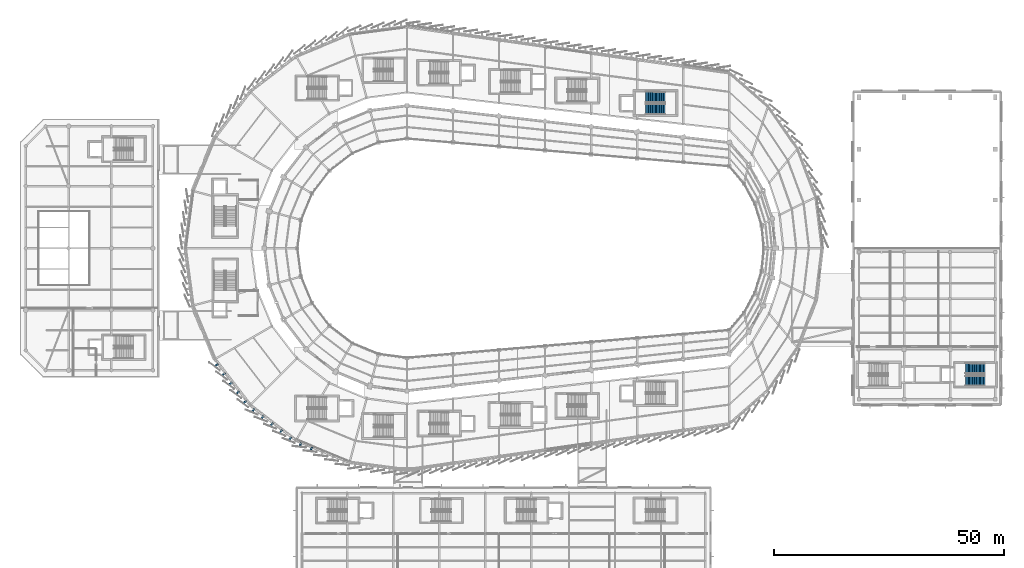
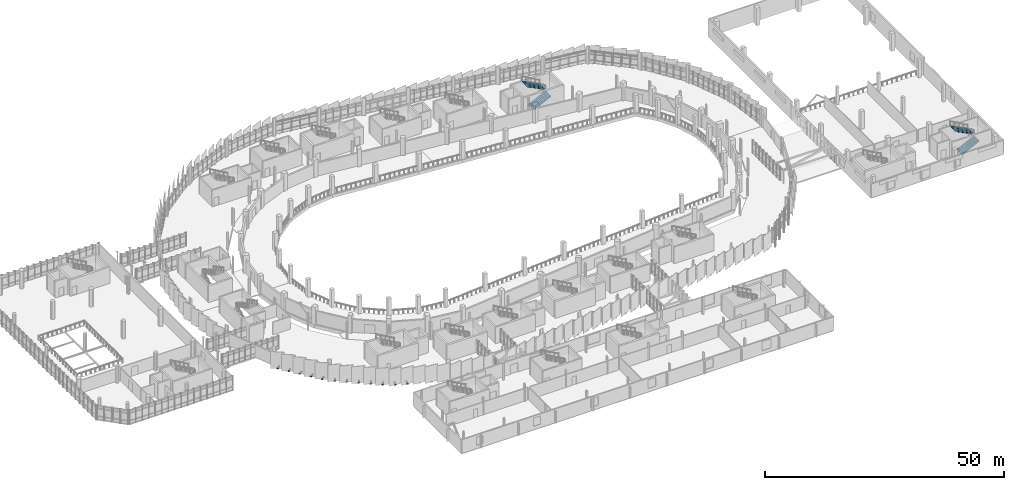
# One storey, part 112 of 125: 12 discrete accessories, 4 stair flights, 2 elements without a shape of their own.
"""IFC4 building model written with IfcOpenShell, lengths in metres."""

from ifc_helpers import new_model, si_unit, direction, frame, origin, origin_2d, place, context, subcontext, project, spatial, polyline, rectangle, outline, extrude, material, type_object, element, aggregate, save


model = new_model("IFC4")

# Units and contexts
model_context = context("Model", 3, precision=1e-05, world=origin(), true_north=direction((0.0, 1.0)))
body_context = subcontext(model_context, "Body", "Model", "MODEL_VIEW")
ifc_project = project(units=[si_unit("LENGTHUNIT", "METRE"), si_unit("AREAUNIT", "SQUARE_METRE"), si_unit("VOLUMEUNIT", "CUBIC_METRE"), si_unit("PLANEANGLEUNIT", "RADIAN"), si_unit("MASSUNIT", "GRAM", prefix="KILO")], contexts=[model_context])

# Site, building, storey
site_placement = place(None, origin())
site = spatial("IfcSite", under=ifc_project, at=site_placement, CompositionType="ELEMENT")
building_placement = place(site_placement, origin())
building = spatial("IfcBuilding", under=site, at=building_placement, Name="Sohan Crest Arena", CompositionType="ELEMENT")
storey_placement = place(building_placement, frame((0.0, 0.0, 9.0)))
storey = spatial("IfcBuildingStorey", under=building, at=storey_placement, Name="L02", CompositionType="ELEMENT", Elevation=9.0)

# Stair, stair flights
ifc_material_1 = material(Name="Concrete C40/50", Category="concrete")
stair_type_1 = type_object("IfcStairType", Name="ST-450W", PredefinedType="TWO_STRAIGHT_RUN_STAIR", material=ifc_material_1)
stair_1_placement = place(storey_placement, origin())
stair_1 = element("IfcStair", 1, at=stair_1_placement, inside=storey, type_object=stair_type_1, Name="Protected exit stair ST16-L02", PredefinedType="TWO_STRAIGHT_RUN_STAIR")
stair_flight_type_1 = type_object("IfcStairFlightType", Name="FL-220-15", PredefinedType="STRAIGHT", material=ifc_material_1)
stair_flight_1_placement = place(storey_placement, frame((219.35009765625, 49.14990234375, 0.0), z_axis=(0.0, 0.0, 1.0), x_axis=(1.0, 0.0, 0.0)))
stair_flight_1 = element("IfcStairFlight", 2, at=stair_flight_1_placement, type_object=stair_flight_type_1, Name="ST16-L02 flight 1", NumberOfRisers=15, NumberOfTreads=14, PredefinedType="STRAIGHT", RiserHeight=0.15, TreadLength=0.3, context=body_context, shape_type="SweptSolid", body=[
    extrude(outline(polyline([(0.0, 0.0), (0.0, 0.14990234375), (0.300048828125, 0.14990234375), (0.300048828125, 0.300048828125), (0.60009765625, 0.300048828125), (0.60009765625, 0.449951171875), (0.89990234375, 0.449951171875), (0.89990234375, 0.60009765625), (1.199951171875, 0.60009765625), (1.199951171875, 0.75), (1.5, 0.75), (1.5, 0.89990234375), (1.800048828125, 0.89990234375), (1.800048828125, 1.050048828125), (2.10009765625, 1.050048828125), (2.10009765625, 1.199951171875), (2.39990234375, 1.199951171875), (2.39990234375, 1.35009765625), (2.699951171875, 1.35009765625), (2.699951171875, 1.5), (3.0, 1.5), (3.0, 1.64990234375), (3.300048828125, 1.64990234375), (3.300048828125, 1.800048828125), (3.60009765625, 1.800048828125), (3.60009765625, 1.949951171875), (3.89990234375, 1.949951171875), (3.89990234375, 2.10009765625), (4.199951171875, 2.10009765625), (4.199951171875, 2.25), (4.199951171875, 1.932373046875), (0.335205078125, 0.0), (0.0, 0.0)])), frame((0.0, 1.10009765625, 0.0), z_axis=(0.0, -1.0, 0.0), x_axis=(1.0, 0.0, 0.0)), (0.0, 0.0, 1.0), 2.199951171875),
])
stair_flight_2_placement = place(storey_placement, frame((223.550048828125, 51.85009765625, 2.25), z_axis=(0.0, 0.0, 1.0), x_axis=(-1.0, 0.0, 0.0)))
stair_flight_2 = element("IfcStairFlight", 3, at=stair_flight_2_placement, type_object=stair_flight_type_1, Name="ST16-L02 flight 2", NumberOfRisers=15, NumberOfTreads=14, PredefinedType="STRAIGHT", RiserHeight=0.15, TreadLength=0.3, context=body_context, shape_type="SweptSolid", body=[
    extrude(outline(polyline([(0.0, 0.0), (0.0, 0.14990234375), (0.300048828125, 0.14990234375), (0.300048828125, 0.300048828125), (0.60009765625, 0.300048828125), (0.60009765625, 0.449951171875), (0.89990234375, 0.449951171875), (0.89990234375, 0.60009765625), (1.199951171875, 0.60009765625), (1.199951171875, 0.75), (1.5, 0.75), (1.5, 0.89990234375), (1.800048828125, 0.89990234375), (1.800048828125, 1.050048828125), (2.10009765625, 1.050048828125), (2.10009765625, 1.199951171875), (2.39990234375, 1.199951171875), (2.39990234375, 1.35009765625), (2.699951171875, 1.35009765625), (2.699951171875, 1.5), (3.0, 1.5), (3.0, 1.64990234375), (3.300048828125, 1.64990234375), (3.300048828125, 1.800048828125), (3.60009765625, 1.800048828125), (3.60009765625, 1.949951171875), (3.89990234375, 1.949951171875), (3.89990234375, 2.10009765625), (4.199951171875, 2.10009765625), (4.199951171875, 2.25), (4.199951171875, 1.932373046875), (0.335205078125, 0.0), (0.0, 0.0)])), frame((0.0, 1.10009765625, 0.0), z_axis=(0.0, -1.0, 0.0), x_axis=(1.0, 0.0, 0.0)), (0.0, 0.0, 1.0), 2.199951171875),
])
aggregate(stair_1, [stair_flight_1, stair_flight_2])

stair_type_2 = type_object("IfcStairType", Name="ST-450", PredefinedType="TWO_STRAIGHT_RUN_STAIR", material=ifc_material_1)
stair_2_placement = place(storey_placement, origin())
stair_2 = element("IfcStair", 4, at=stair_2_placement, inside=storey, type_object=stair_type_2, Name="Protected exit stair ST10-L02", PredefinedType="TWO_STRAIGHT_RUN_STAIR")
stair_flight_type_2 = type_object("IfcStairFlightType", Name="FL-260-15", PredefinedType="STRAIGHT", material=ifc_material_1)
stair_flight_3_placement = place(storey_placement, frame((149.85009765625, 108.199951171875, 0.0), z_axis=(0.0, 0.0, 1.0), x_axis=(1.0, 0.0, 0.0)))
stair_flight_3 = element("IfcStairFlight", 5, at=stair_flight_3_placement, type_object=stair_flight_type_2, Name="ST10-L02 flight 1", NumberOfRisers=15, NumberOfTreads=14, PredefinedType="STRAIGHT", RiserHeight=0.15, TreadLength=0.3, context=body_context, shape_type="SweptSolid", body=[
    extrude(outline(polyline([(0.0, 0.0), (0.0, 0.14990234375), (0.300048828125, 0.14990234375), (0.300048828125, 0.300048828125), (0.60009765625, 0.300048828125), (0.60009765625, 0.449951171875), (0.89990234375, 0.449951171875), (0.89990234375, 0.60009765625), (1.199951171875, 0.60009765625), (1.199951171875, 0.75), (1.5, 0.75), (1.5, 0.89990234375), (1.800048828125, 0.89990234375), (1.800048828125, 1.050048828125), (2.10009765625, 1.050048828125), (2.10009765625, 1.199951171875), (2.39990234375, 1.199951171875), (2.39990234375, 1.35009765625), (2.699951171875, 1.35009765625), (2.699951171875, 1.5), (3.0, 1.5), (3.0, 1.64990234375), (3.300048828125, 1.64990234375), (3.300048828125, 1.800048828125), (3.60009765625, 1.800048828125), (3.60009765625, 1.949951171875), (3.89990234375, 1.949951171875), (3.89990234375, 2.10009765625), (4.199951171875, 2.10009765625), (4.199951171875, 2.25), (4.199951171875, 1.932373046875), (0.335205078125, 0.0), (0.0, 0.0)])), frame((0.0, 1.14990234375, 0.0), z_axis=(0.0, -1.0, 0.0), x_axis=(1.0, 0.0, 0.0)), (0.0, 0.0, 1.0), 2.300048828125),
])
stair_flight_4_placement = place(storey_placement, frame((154.050048828125, 110.800048828125, 2.25), z_axis=(0.0, 0.0, 1.0), x_axis=(-1.0, 0.0, 0.0)))
stair_flight_4 = element("IfcStairFlight", 6, at=stair_flight_4_placement, type_object=stair_flight_type_2, Name="ST10-L02 flight 2", NumberOfRisers=15, NumberOfTreads=14, PredefinedType="STRAIGHT", RiserHeight=0.15, TreadLength=0.3, context=body_context, shape_type="SweptSolid", body=[
    extrude(outline(polyline([(0.0, 0.0), (0.0, 0.14990234375), (0.300048828125, 0.14990234375), (0.300048828125, 0.300048828125), (0.60009765625, 0.300048828125), (0.60009765625, 0.449951171875), (0.89990234375, 0.449951171875), (0.89990234375, 0.60009765625), (1.199951171875, 0.60009765625), (1.199951171875, 0.75), (1.5, 0.75), (1.5, 0.89990234375), (1.800048828125, 0.89990234375), (1.800048828125, 1.050048828125), (2.10009765625, 1.050048828125), (2.10009765625, 1.199951171875), (2.39990234375, 1.199951171875), (2.39990234375, 1.35009765625), (2.699951171875, 1.35009765625), (2.699951171875, 1.5), (3.0, 1.5), (3.0, 1.64990234375), (3.300048828125, 1.64990234375), (3.300048828125, 1.800048828125), (3.60009765625, 1.800048828125), (3.60009765625, 1.949951171875), (3.89990234375, 1.949951171875), (3.89990234375, 2.10009765625), (4.199951171875, 2.10009765625), (4.199951171875, 2.25), (4.199951171875, 1.932373046875), (0.335205078125, 0.0), (0.0, 0.0)])), frame((0.0, 1.14990234375, 0.0), z_axis=(0.0, -1.0, 0.0), x_axis=(1.0, 0.0, 0.0)), (0.0, 0.0, 1.0), 2.300048828125),
])
aggregate(stair_2, [stair_flight_3, stair_flight_4])

# Discrete accessories
ifc_material_2 = material(Name="Steel S355", Category="steel")
discrete_accessory_type = type_object("IfcDiscreteAccessoryType", Name="ARC-ACC-BRK1", PredefinedType="BRACKET", material=ifc_material_2)
for number, where, z_axis, x_axis, name in (
    (7, (56.556884765625, 52.576904296875, -0.22998046875), (0.0, 0.0, 1.0), (0.608761429009, -0.793353340291, 0.0), "Ceramic scale carrier bracket BRK-0161"),
    (8, (58.096923828125, 50.570068359375, -0.22998046875), (0.0, 0.0, 1.0), (0.608761429009, -0.793353340291, 0.0), "Ceramic scale carrier bracket BRK-0162"),
    (9, (59.636962890625, 48.56298828125, -0.22998046875), (0.0, 0.0, 1.0), (0.608761429009, -0.793353340291, 0.0), "Ceramic scale carrier bracket BRK-0163"),
    (10, (61.177001953125, 46.555908203125, -0.22998046875), (0.0, 0.0, 1.0), (0.608761429009, -0.793353340291, 0.0), "Ceramic scale carrier bracket BRK-0164"),
    (11, (62.717041015625, 44.550048828125, -0.22998046875), (0.0, 0.0, 1.0), (0.608761429009, -0.793353340291, 0.0), "Ceramic scale carrier bracket BRK-0165"),
    (12, (64.550048828125, 42.717041015625, -0.22998046875), (0.0, 0.0, 1.0), (0.793353340291, -0.608761429009, 0.0), "Ceramic scale carrier bracket BRK-0166"),
    (13, (66.555908203125, 41.177001953125, -0.22998046875), (0.0, 0.0, 1.0), (0.793353340291, -0.608761429009, 0.0), "Ceramic scale carrier bracket BRK-0167"),
    (14, (68.56298828125, 39.636962890625, -0.22998046875), (0.0, 0.0, 1.0), (0.793353340291, -0.608761429009, 0.0), "Ceramic scale carrier bracket BRK-0168"),
    (15, (70.570068359375, 38.096923828125, -0.22998046875), (0.0, 0.0, 1.0), (0.793353340291, -0.608761429009, 0.0), "Ceramic scale carrier bracket BRK-0169"),
    (16, (72.576904296875, 36.556884765625, -0.22998046875), (0.0, 0.0, 1.0), (0.793353340291, -0.608761429009, 0.0), "Ceramic scale carrier bracket BRK-0170"),
    (17, (74.821044921875, 35.260986328125, -0.22998046875), (0.0, 0.0, 1.0), (0.923879532511, -0.382683432365, 0.0), "Ceramic scale carrier bracket BRK-0171"),
    (18, (77.157958984375, 34.29296875, -0.22998046875), (0.0, 0.0, 1.0), (0.923879532511, -0.382683432365, 0.0), "Ceramic scale carrier bracket BRK-0172"),
):
    element("IfcDiscreteAccessory", number, at=place(storey_placement, frame(where, z_axis=z_axis, x_axis=x_axis)), inside=storey, type_object=discrete_accessory_type, Name=name, PredefinedType="BRACKET", context=body_context, shape_type="SweptSolid", body=[
        extrude(rectangle(XDim=0.35009765625, YDim=0.9599609375, at=origin_2d()), origin(), (0.0, 0.0, 1.0), 0.219970703125),
    ])

save(model, "model.ifc")
